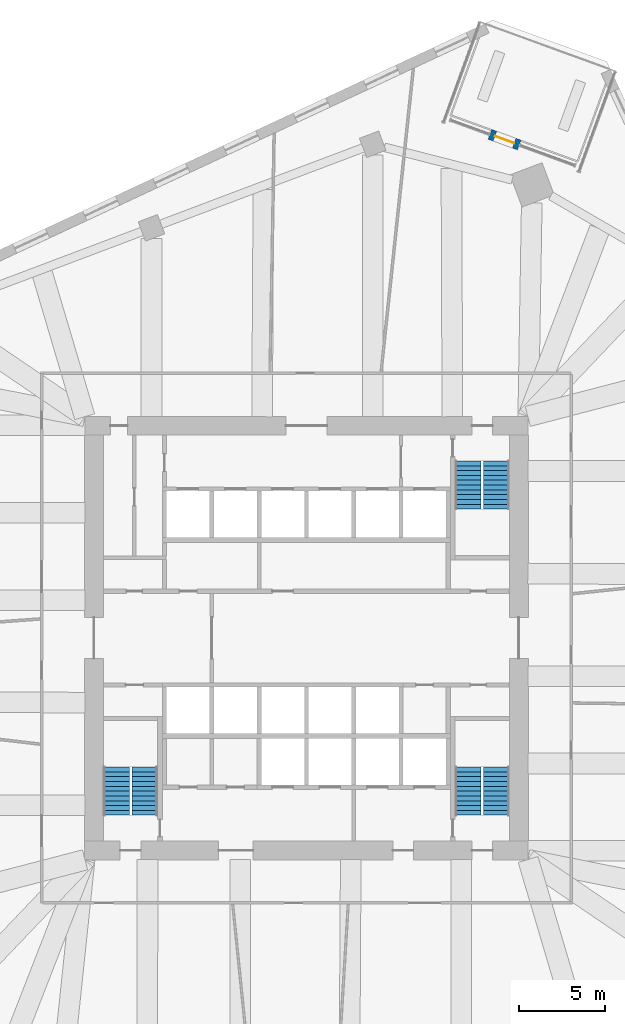
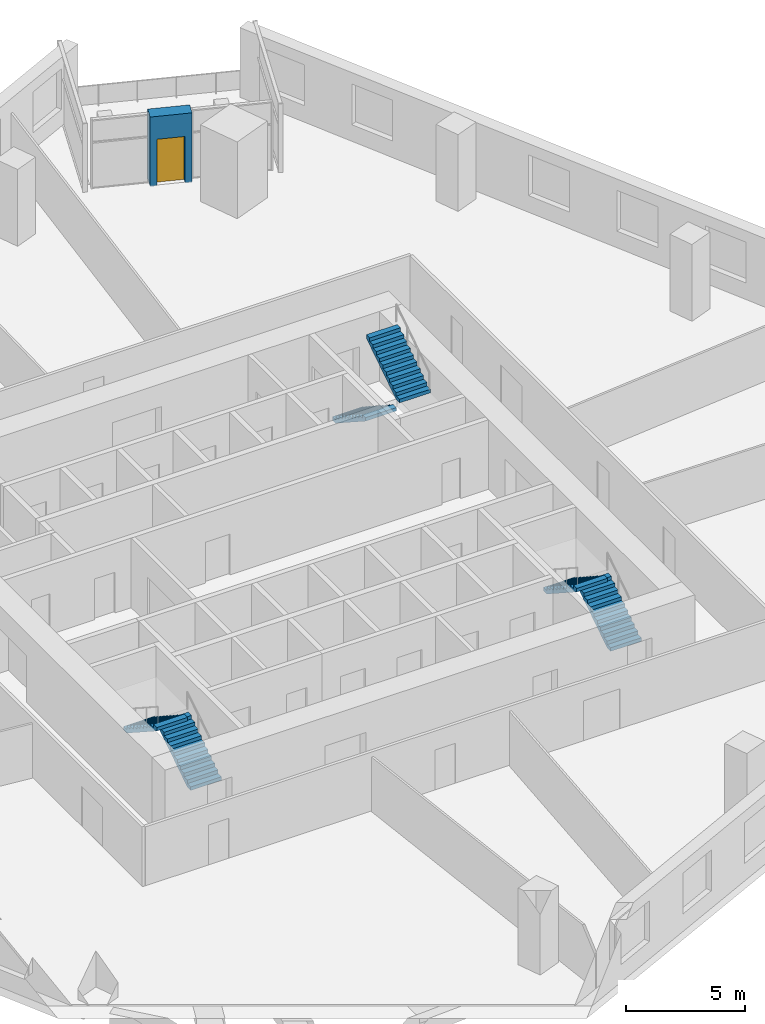
# One storey, part 10 of 12: 6 stair flights, 1 door, 1 wall, 1 opening, 3 elements without a shape of their own.
"""IFC4 building model written with IfcOpenShell, lengths in metres."""

from ifc_helpers import new_model, si_unit, direction, frame, frame_2d, origin, place, context, subcontext, project, spatial, polyline, rectangle, outline, extrude, material, layer, layer_set, type_object, element, fill, aggregate, save


model = new_model("IFC4")

# Units and contexts
model_context = context("Model", 3, precision=1e-05, world=origin(), true_north=direction((0.0, 1.0)))
body_context = subcontext(model_context, "Body", "Model", "MODEL_VIEW")
ifc_project = project(units=[si_unit("LENGTHUNIT", "METRE"), si_unit("AREAUNIT", "SQUARE_METRE"), si_unit("VOLUMEUNIT", "CUBIC_METRE"), si_unit("PLANEANGLEUNIT", "RADIAN"), si_unit("MASSUNIT", "GRAM", prefix="KILO")], contexts=[model_context])

# Site, building, storey
site_placement = place(None, origin())
site = spatial("IfcSite", under=ifc_project, at=site_placement, CompositionType="ELEMENT")
building_placement = place(site_placement, origin())
building = spatial("IfcBuilding", under=site, at=building_placement, Name="Dilmun Exchange Tower", CompositionType="ELEMENT")
storey_placement = place(building_placement, frame((0.0, 0.0, 126.10009765625)))
storey = spatial("IfcBuildingStorey", under=building, at=storey_placement, Name="L29", CompositionType="ELEMENT", Elevation=126.10009765625)

# Wall, opening, door
ifc_material_1 = material(Name="Precast concrete C50/60", Category="concrete")
ifc_layer = layer(ifc_material_1, 0.60009765625)
ifc_layer_set = layer_set([ifc_layer], Name="Precast concrete C50/60")
wall_type = type_object("IfcWallType", Name="Precast stone-clad wall 600", PredefinedType="STANDARD", material=ifc_layer_set)
wall_placement = place(storey_placement, frame((12.367919921875, 28.676025390625, 0.0), z_axis=(0.0, 0.0, 1.0), x_axis=(-0.939718154821, 0.341949980991, 0.0)))
wall = element("IfcWall", 1, at=wall_placement, inside=storey, type_object=wall_type, Name="Facade wall L29-01-D", PredefinedType="STANDARD", context=body_context, shape_type="SweptSolid", body=[
    extrude(rectangle(XDim=1.7998046875, YDim=0.60009765625, at=frame_2d((0.89990234375, 0.0))), origin(), (0.0, 0.0, 1.0), 3.579833984375),
])
opening_placement = place(wall_placement, frame((0.300048828125, 0.0, 0.0)))
opening = element("IfcOpeningElement", 2, at=opening_placement, cuts=wall, Name="Opening GD-1", PredefinedType="OPENING", context=body_context, shape_type="SweptSolid", body=[
    extrude(rectangle(XDim=1.199951171875, YDim=2.39990234375, at=frame_2d((0.60009765625, 1.199951171875))), frame((0.0, 0.31005859375, 0.0), z_axis=(0.0, -1.0, 0.0), x_axis=(1.0, 0.0, 0.0)), (0.0, 0.0, 1.0), 0.6201171875),
])
ifc_material_2 = material(Name="Clear low-emissivity glass in aluminium frame", Category="aluminium")
door_type = type_object("IfcDoorType", Name="Glazed garden door 1200 x 2400", OperationType="SINGLE_SWING_LEFT", PredefinedType="DOOR", material=ifc_material_2)
door_placement = place(opening_placement, origin())
door = element("IfcDoor", 3, at=door_placement, inside=storey, type_object=door_type, Name="Garden terrace door", OperationType="SINGLE_SWING_LEFT", OverallHeight=2.39990234375, OverallWidth=1.199951171875, PredefinedType="DOOR", context=body_context, shape_type="SweptSolid", body=[
    extrude(rectangle(XDim=1.199951171875, YDim=2.39990234375, at=frame_2d((0.60009765625, 1.199951171875))), frame((0.0, 0.02490234375, 0.0), z_axis=(0.0, -1.0, 0.0), x_axis=(1.0, 0.0, 0.0)), (0.0, 0.0, 1.0), 0.050048828125),
])
fill(opening, door)

# Stair, stair flights
ifc_material_3 = material(Name="Concrete C40/50", Category="concrete")
stair_type = type_object("IfcStairType", Name="Exit stair 1500 half-turn", PredefinedType="HALF_TURN_STAIR", material=ifc_material_3)
stair_1_placement = place(storey_placement, origin())
stair_1 = element("IfcStair", 4, at=stair_1_placement, inside=storey, type_object=stair_type, Name="L29 Protected exit stair ST1", PredefinedType="HALF_TURN_STAIR")
stair_flight_type = type_object("IfcStairFlightType", Name="Exit stair flight 1500", PredefinedType="STRAIGHT", material=ifc_material_3)
stair_flight_1_placement = place(storey_placement, frame((9.39990234375, 10.300048828125, 0.0), z_axis=(0.0, 0.0, 1.0), x_axis=(0.0, -1.0, 0.0)))
stair_flight_1 = element("IfcStairFlight", 5, at=stair_flight_1_placement, type_object=stair_flight_type, Name="ST1 flight 1", NumberOfRisers=11, NumberOfTreads=10, PredefinedType="STRAIGHT", RiserHeight=0.181818182, TreadLength=0.28, context=body_context, shape_type="SweptSolid", body=[
    extrude(outline(polyline([(0.0, 0.0), (0.0, 0.181884765625), (0.280029296875, 0.181884765625), (0.280029296875, 0.363525390625), (0.56005859375, 0.363525390625), (0.56005859375, 0.54541015625), (0.840087890625, 0.54541015625), (0.840087890625, 0.727294921875), (1.1201171875, 0.727294921875), (1.1201171875, 0.9091796875), (1.39990234375, 0.9091796875), (1.39990234375, 1.0908203125), (1.679931640625, 1.0908203125), (1.679931640625, 1.272705078125), (1.9599609375, 1.272705078125), (1.9599609375, 1.45458984375), (2.239990234375, 1.45458984375), (2.239990234375, 1.636474609375), (2.52001953125, 1.636474609375), (2.52001953125, 1.818115234375), (2.800048828125, 1.818115234375), (2.800048828125, 2.0), (2.800048828125, 1.639404296875), (0.275146484375, 0.0), (0.0, 0.0)])), frame((0.0, 0.75, 0.0), z_axis=(0.0, -1.0, 0.0), x_axis=(1.0, 0.0, 0.0)), (0.0, 0.0, 1.0), 1.5),
])
stair_flight_2_placement = place(storey_placement, frame((11.050048828125, 7.5, 2.0), z_axis=(0.0, 0.0, 1.0), x_axis=(0.0, 1.0, 0.0)))
stair_flight_2 = element("IfcStairFlight", 6, at=stair_flight_2_placement, type_object=stair_flight_type, Name="ST1 flight 2", NumberOfRisers=11, NumberOfTreads=10, PredefinedType="STRAIGHT", RiserHeight=0.181818182, TreadLength=0.28, context=body_context, shape_type="SweptSolid", body=[
    extrude(outline(polyline([(0.0, 0.0), (0.0, 0.181884765625), (0.280029296875, 0.181884765625), (0.280029296875, 0.363525390625), (0.56005859375, 0.363525390625), (0.56005859375, 0.54541015625), (0.840087890625, 0.54541015625), (0.840087890625, 0.727294921875), (1.1201171875, 0.727294921875), (1.1201171875, 0.9091796875), (1.39990234375, 0.9091796875), (1.39990234375, 1.0908203125), (1.679931640625, 1.0908203125), (1.679931640625, 1.272705078125), (1.9599609375, 1.272705078125), (1.9599609375, 1.45458984375), (2.239990234375, 1.45458984375), (2.239990234375, 1.636474609375), (2.52001953125, 1.636474609375), (2.52001953125, 1.818115234375), (2.800048828125, 1.818115234375), (2.800048828125, 2.0), (2.800048828125, 1.639404296875), (0.275146484375, 0.0), (0.0, 0.0)])), frame((0.0, 0.75, 0.0), z_axis=(0.0, -1.0, 0.0), x_axis=(1.0, 0.0, 0.0)), (0.0, 0.0, 1.0), 1.5),
])
aggregate(stair_1, [stair_flight_1, stair_flight_2])

stair_2_placement = place(storey_placement, origin())
stair_2 = element("IfcStair", 7, at=stair_2_placement, inside=storey, type_object=stair_type, Name="L29 Protected exit stair ST2", PredefinedType="HALF_TURN_STAIR")
stair_flight_3_placement = place(storey_placement, frame((-9.39990234375, -10.300048828125, 0.0), z_axis=(0.0, 0.0, 1.0), x_axis=(0.0, 1.0, 0.0)))
stair_flight_3 = element("IfcStairFlight", 8, at=stair_flight_3_placement, type_object=stair_flight_type, Name="ST2 flight 1", NumberOfRisers=11, NumberOfTreads=10, PredefinedType="STRAIGHT", RiserHeight=0.181818182, TreadLength=0.28, context=body_context, shape_type="SweptSolid", body=[
    extrude(outline(polyline([(0.0, 0.0), (0.0, 0.181884765625), (0.280029296875, 0.181884765625), (0.280029296875, 0.363525390625), (0.56005859375, 0.363525390625), (0.56005859375, 0.54541015625), (0.840087890625, 0.54541015625), (0.840087890625, 0.727294921875), (1.1201171875, 0.727294921875), (1.1201171875, 0.9091796875), (1.39990234375, 0.9091796875), (1.39990234375, 1.0908203125), (1.679931640625, 1.0908203125), (1.679931640625, 1.272705078125), (1.9599609375, 1.272705078125), (1.9599609375, 1.45458984375), (2.239990234375, 1.45458984375), (2.239990234375, 1.636474609375), (2.52001953125, 1.636474609375), (2.52001953125, 1.818115234375), (2.800048828125, 1.818115234375), (2.800048828125, 2.0), (2.800048828125, 1.639404296875), (0.275146484375, 0.0), (0.0, 0.0)])), frame((0.0, 0.75, 0.0), z_axis=(0.0, -1.0, 0.0), x_axis=(1.0, 0.0, 0.0)), (0.0, 0.0, 1.0), 1.5),
])
stair_flight_4_placement = place(storey_placement, frame((-11.050048828125, -7.5, 2.0), z_axis=(0.0, 0.0, 1.0), x_axis=(0.0, -1.0, 0.0)))
stair_flight_4 = element("IfcStairFlight", 9, at=stair_flight_4_placement, type_object=stair_flight_type, Name="ST2 flight 2", NumberOfRisers=11, NumberOfTreads=10, PredefinedType="STRAIGHT", RiserHeight=0.181818182, TreadLength=0.28, context=body_context, shape_type="SweptSolid", body=[
    extrude(outline(polyline([(0.0, 0.0), (0.0, 0.181884765625), (0.280029296875, 0.181884765625), (0.280029296875, 0.363525390625), (0.56005859375, 0.363525390625), (0.56005859375, 0.54541015625), (0.840087890625, 0.54541015625), (0.840087890625, 0.727294921875), (1.1201171875, 0.727294921875), (1.1201171875, 0.9091796875), (1.39990234375, 0.9091796875), (1.39990234375, 1.0908203125), (1.679931640625, 1.0908203125), (1.679931640625, 1.272705078125), (1.9599609375, 1.272705078125), (1.9599609375, 1.45458984375), (2.239990234375, 1.45458984375), (2.239990234375, 1.636474609375), (2.52001953125, 1.636474609375), (2.52001953125, 1.818115234375), (2.800048828125, 1.818115234375), (2.800048828125, 2.0), (2.800048828125, 1.639404296875), (0.275146484375, 0.0), (0.0, 0.0)])), frame((0.0, 0.75, 0.0), z_axis=(0.0, -1.0, 0.0), x_axis=(1.0, 0.0, 0.0)), (0.0, 0.0, 1.0), 1.5),
])
aggregate(stair_2, [stair_flight_3, stair_flight_4])

stair_3_placement = place(storey_placement, origin())
stair_3 = element("IfcStair", 10, at=stair_3_placement, inside=storey, type_object=stair_type, Name="L29 Protected exit stair ST3", PredefinedType="HALF_TURN_STAIR")
stair_flight_5_placement = place(storey_placement, frame((11.050048828125, -10.300048828125, 0.0), z_axis=(0.0, 0.0, 1.0), x_axis=(0.0, 1.0, 0.0)))
stair_flight_5 = element("IfcStairFlight", 11, at=stair_flight_5_placement, type_object=stair_flight_type, Name="ST3 flight 1", NumberOfRisers=11, NumberOfTreads=10, PredefinedType="STRAIGHT", RiserHeight=0.181818182, TreadLength=0.28, context=body_context, shape_type="SweptSolid", body=[
    extrude(outline(polyline([(0.0, 0.0), (0.0, 0.181884765625), (0.280029296875, 0.181884765625), (0.280029296875, 0.363525390625), (0.56005859375, 0.363525390625), (0.56005859375, 0.54541015625), (0.840087890625, 0.54541015625), (0.840087890625, 0.727294921875), (1.1201171875, 0.727294921875), (1.1201171875, 0.9091796875), (1.39990234375, 0.9091796875), (1.39990234375, 1.0908203125), (1.679931640625, 1.0908203125), (1.679931640625, 1.272705078125), (1.9599609375, 1.272705078125), (1.9599609375, 1.45458984375), (2.239990234375, 1.45458984375), (2.239990234375, 1.636474609375), (2.52001953125, 1.636474609375), (2.52001953125, 1.818115234375), (2.800048828125, 1.818115234375), (2.800048828125, 2.0), (2.800048828125, 1.639404296875), (0.275146484375, 0.0), (0.0, 0.0)])), frame((0.0, 0.75, 0.0), z_axis=(0.0, -1.0, 0.0), x_axis=(1.0, 0.0, 0.0)), (0.0, 0.0, 1.0), 1.5),
])
stair_flight_6_placement = place(storey_placement, frame((9.39990234375, -7.5, 2.0), z_axis=(0.0, 0.0, 1.0), x_axis=(0.0, -1.0, 0.0)))
stair_flight_6 = element("IfcStairFlight", 12, at=stair_flight_6_placement, type_object=stair_flight_type, Name="ST3 flight 2", NumberOfRisers=11, NumberOfTreads=10, PredefinedType="STRAIGHT", RiserHeight=0.181818182, TreadLength=0.28, context=body_context, shape_type="SweptSolid", body=[
    extrude(outline(polyline([(0.0, 0.0), (0.0, 0.181884765625), (0.280029296875, 0.181884765625), (0.280029296875, 0.363525390625), (0.56005859375, 0.363525390625), (0.56005859375, 0.54541015625), (0.840087890625, 0.54541015625), (0.840087890625, 0.727294921875), (1.1201171875, 0.727294921875), (1.1201171875, 0.9091796875), (1.39990234375, 0.9091796875), (1.39990234375, 1.0908203125), (1.679931640625, 1.0908203125), (1.679931640625, 1.272705078125), (1.9599609375, 1.272705078125), (1.9599609375, 1.45458984375), (2.239990234375, 1.45458984375), (2.239990234375, 1.636474609375), (2.52001953125, 1.636474609375), (2.52001953125, 1.818115234375), (2.800048828125, 1.818115234375), (2.800048828125, 2.0), (2.800048828125, 1.639404296875), (0.275146484375, 0.0), (0.0, 0.0)])), frame((0.0, 0.75, 0.0), z_axis=(0.0, -1.0, 0.0), x_axis=(1.0, 0.0, 0.0)), (0.0, 0.0, 1.0), 1.5),
])
aggregate(stair_3, [stair_flight_5, stair_flight_6])

save(model, "model.ifc")
